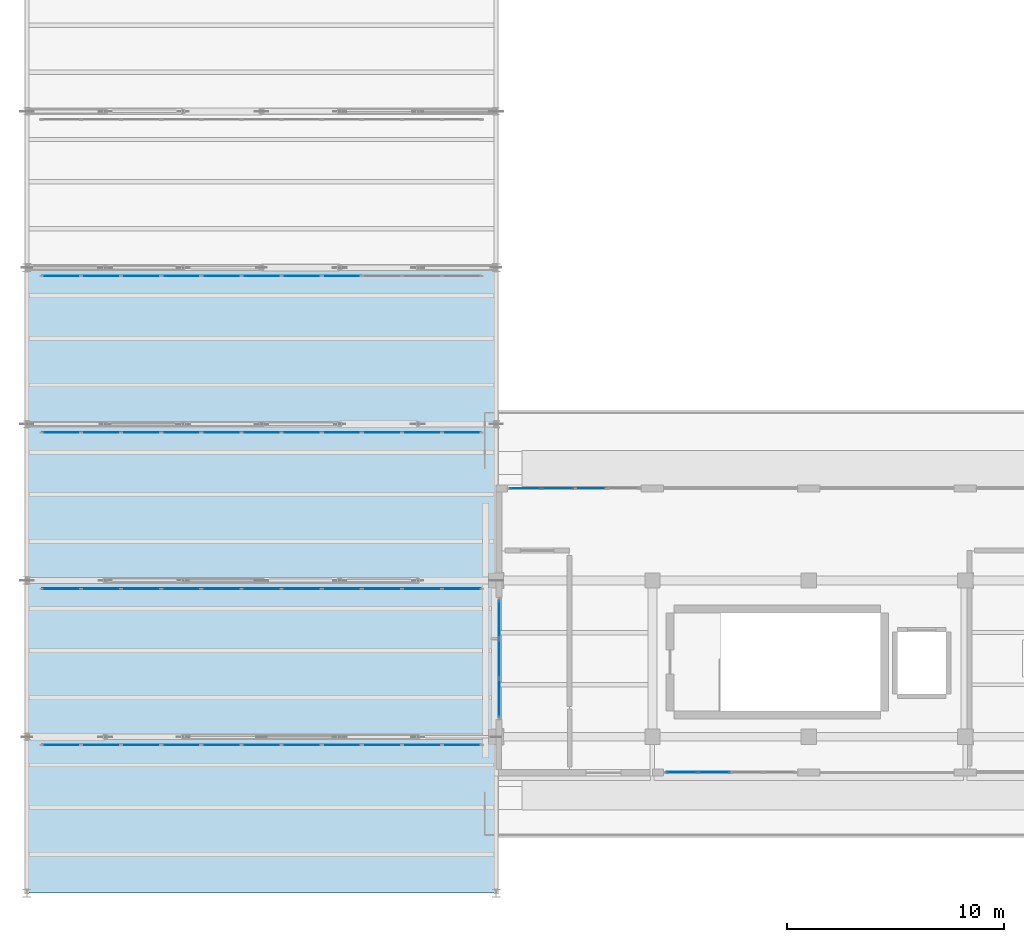
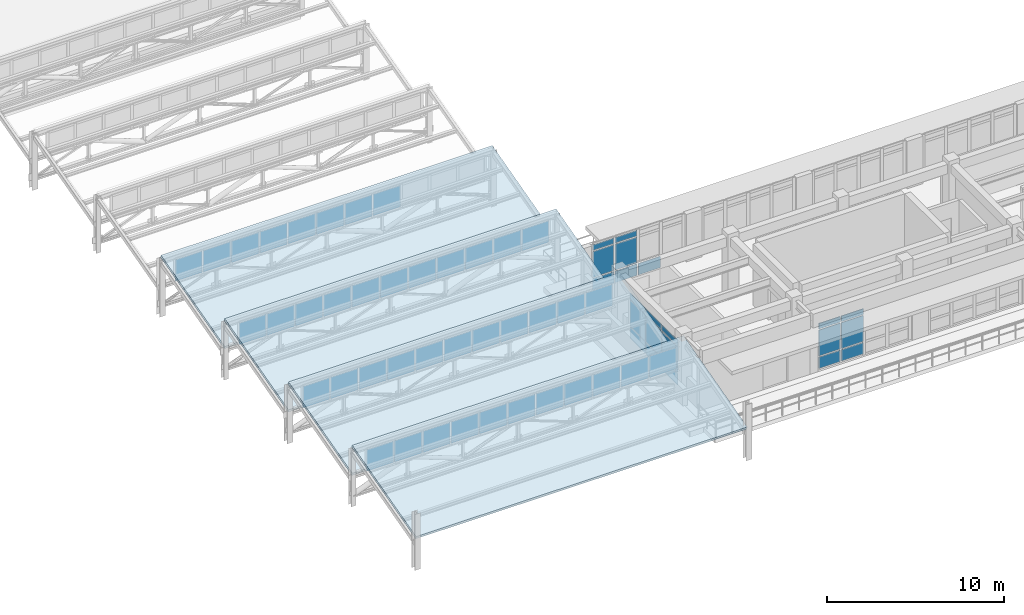
# One storey, part 33 of 55: 63 plates, 4 slabs, 7 elements without a shape of their own.
"""IFC4 building model written with IfcOpenShell, lengths in metres."""

from ifc_helpers import new_model, si_unit, direction, frame, origin, origin_2d, place, context, subcontext, project, spatial, polyline, rectangle, outline, extrude, material, layer, layer_set, type_object, element, aggregate, save


model = new_model("IFC4")

# Units and contexts
model_context = context("Model", 3, precision=1e-05, world=origin(), true_north=direction((0.0, 1.0)))
body_context = subcontext(model_context, "Body", "Model", "MODEL_VIEW")
ifc_project = project(units=[si_unit("LENGTHUNIT", "METRE"), si_unit("AREAUNIT", "SQUARE_METRE"), si_unit("VOLUMEUNIT", "CUBIC_METRE"), si_unit("PLANEANGLEUNIT", "RADIAN"), si_unit("MASSUNIT", "GRAM", prefix="KILO")], contexts=[model_context])

# Site, building, storey
site_placement = place(None, origin())
site = spatial("IfcSite", under=ifc_project, at=site_placement, CompositionType="ELEMENT")
building_placement = place(site_placement, origin())
building = spatial("IfcBuilding", under=site, at=building_placement, Name="Solenvale Faculty of Natural Sciences", CompositionType="ELEMENT")
storey_placement = place(building_placement, frame((0.0, 0.0, 22.5)))
storey = spatial("IfcBuildingStorey", under=building, at=storey_placement, Name="L05", CompositionType="ELEMENT", Elevation=22.5)

# Curtain wall, plates
ifc_material_1 = material(Name="Anodised bronze aluminium", Category="aluminium")
ifc_layer_1 = layer(ifc_material_1, 0.1650390625)
ifc_layer_set_1 = layer_set([ifc_layer_1], Name="Anodised bronze aluminium")
curtain_wall_type_1 = type_object("IfcCurtainWallType", Name="CW-SAW-CLR", PredefinedType="USERDEFINED", material=ifc_layer_set_1)
curtain_wall_1_placement = place(storey_placement, origin())
curtain_wall_1 = element("IfcCurtainWall", 1, at=curtain_wall_1_placement, inside=storey, type_object=curtain_wall_type_1, Name="L05 Curtain Wall SAW-V3-CW-1-1", ObjectType="NORTH LIGHT CLERESTORY", PredefinedType="USERDEFINED")
ifc_material_2 = material(Name="North-light skylight glass", Category="glass")
ifc_layer_2 = layer(ifc_material_2, 0.028076171875)
ifc_layer_set_2 = layer_set([ifc_layer_2], Name="North-light skylight glass")
plate_type_1 = type_object("IfcPlateType", Name="CWP-PNL-28", PredefinedType="CURTAIN_PANEL", material=ifc_layer_set_2)
plate_1_placement = place(storey_placement, frame((56.02001953125, 21.219970703125, 2.294921875), z_axis=(0.0, 0.0, 1.0), x_axis=(-1.0, 0.0, 0.0)))
plate_1 = element("IfcPlate", 2, at=plate_1_placement, type_object=plate_type_1, Name="CW-05 panel 1.1", PredefinedType="CURTAIN_PANEL", context=body_context, shape_type="SweptSolid", body=[
    extrude(rectangle(XDim=1.749755859375, YDim=0.028076171875, at=origin_2d()), origin(), (0.0, 0.0, 1.0), 1.47998046875),
])
plate_2_placement = place(storey_placement, frame((54.189208984375, 21.219970703125, 2.294921875), z_axis=(0.0, 0.0, 1.0), x_axis=(-1.0, 0.0, 0.0)))
plate_2 = element("IfcPlate", 3, at=plate_2_placement, type_object=plate_type_1, Name="CW-05 panel 2.1", PredefinedType="CURTAIN_PANEL", context=body_context, shape_type="SweptSolid", body=[
    extrude(rectangle(XDim=1.7822265625, YDim=0.028076171875, at=origin_2d()), origin(), (0.0, 0.0, 1.0), 1.47998046875),
])
plate_3_placement = place(storey_placement, frame((52.341796875, 21.219970703125, 2.294921875), z_axis=(0.0, 0.0, 1.0), x_axis=(-1.0, 0.0, 0.0)))
plate_3 = element("IfcPlate", 4, at=plate_3_placement, type_object=plate_type_1, Name="CW-05 panel 3.1", PredefinedType="CURTAIN_PANEL", context=body_context, shape_type="SweptSolid", body=[
    extrude(rectangle(XDim=1.7822265625, YDim=0.028076171875, at=origin_2d()), origin(), (0.0, 0.0, 1.0), 1.47998046875),
])
plate_4_placement = place(storey_placement, frame((50.49462890625, 21.219970703125, 2.294921875), z_axis=(0.0, 0.0, 1.0), x_axis=(-1.0, 0.0, 0.0)))
plate_4 = element("IfcPlate", 5, at=plate_4_placement, type_object=plate_type_1, Name="CW-05 panel 4.1", PredefinedType="CURTAIN_PANEL", context=body_context, shape_type="SweptSolid", body=[
    extrude(rectangle(XDim=1.7822265625, YDim=0.028076171875, at=origin_2d()), origin(), (0.0, 0.0, 1.0), 1.47998046875),
])
plate_5_placement = place(storey_placement, frame((48.647216796875, 21.219970703125, 2.294921875), z_axis=(0.0, 0.0, 1.0), x_axis=(-1.0, 0.0, 0.0)))
plate_5 = element("IfcPlate", 6, at=plate_5_placement, type_object=plate_type_1, Name="CW-05 panel 5.1", PredefinedType="CURTAIN_PANEL", context=body_context, shape_type="SweptSolid", body=[
    extrude(rectangle(XDim=1.7822265625, YDim=0.028076171875, at=origin_2d()), origin(), (0.0, 0.0, 1.0), 1.47998046875),
])
plate_6_placement = place(storey_placement, frame((46.800048828125, 21.219970703125, 2.294921875), z_axis=(0.0, 0.0, 1.0), x_axis=(-1.0, 0.0, 0.0)))
plate_6 = element("IfcPlate", 7, at=plate_6_placement, type_object=plate_type_1, Name="CW-05 panel 6.1", PredefinedType="CURTAIN_PANEL", context=body_context, shape_type="SweptSolid", body=[
    extrude(rectangle(XDim=1.7822265625, YDim=0.028076171875, at=origin_2d()), origin(), (0.0, 0.0, 1.0), 1.47998046875),
])
plate_7_placement = place(storey_placement, frame((44.95263671875, 21.219970703125, 2.294921875), z_axis=(0.0, 0.0, 1.0), x_axis=(-1.0, 0.0, 0.0)))
plate_7 = element("IfcPlate", 8, at=plate_7_placement, type_object=plate_type_1, Name="CW-05 panel 7.1", PredefinedType="CURTAIN_PANEL", context=body_context, shape_type="SweptSolid", body=[
    extrude(rectangle(XDim=1.7822265625, YDim=0.028076171875, at=origin_2d()), origin(), (0.0, 0.0, 1.0), 1.47998046875),
])
plate_8_placement = place(storey_placement, frame((43.10546875, 21.219970703125, 2.294921875), z_axis=(0.0, 0.0, 1.0), x_axis=(-1.0, 0.0, 0.0)))
plate_8 = element("IfcPlate", 9, at=plate_8_placement, type_object=plate_type_1, Name="CW-05 panel 8.1", PredefinedType="CURTAIN_PANEL", context=body_context, shape_type="SweptSolid", body=[
    extrude(rectangle(XDim=1.7822265625, YDim=0.028076171875, at=origin_2d()), origin(), (0.0, 0.0, 1.0), 1.47998046875),
])
plate_9_placement = place(storey_placement, frame((41.25830078125, 21.219970703125, 2.294921875), z_axis=(0.0, 0.0, 1.0), x_axis=(-1.0, 0.0, 0.0)))
plate_9 = element("IfcPlate", 10, at=plate_9_placement, type_object=plate_type_1, Name="CW-05 panel 9.1", PredefinedType="CURTAIN_PANEL", context=body_context, shape_type="SweptSolid", body=[
    extrude(rectangle(XDim=1.7822265625, YDim=0.028076171875, at=origin_2d()), origin(), (0.0, 0.0, 1.0), 1.47998046875),
])
plate_10_placement = place(storey_placement, frame((39.410888671875, 21.219970703125, 2.294921875), z_axis=(0.0, 0.0, 1.0), x_axis=(-1.0, 0.0, 0.0)))
plate_10 = element("IfcPlate", 11, at=plate_10_placement, type_object=plate_type_1, Name="CW-05 panel 10.1", PredefinedType="CURTAIN_PANEL", context=body_context, shape_type="SweptSolid", body=[
    extrude(rectangle(XDim=1.7822265625, YDim=0.028076171875, at=origin_2d()), origin(), (0.0, 0.0, 1.0), 1.47998046875),
])
plate_11_placement = place(storey_placement, frame((37.579833984375, 21.219970703125, 2.294921875), z_axis=(0.0, 0.0, 1.0), x_axis=(-1.0, 0.0, 0.0)))
plate_11 = element("IfcPlate", 12, at=plate_11_placement, type_object=plate_type_1, Name="CW-05 panel 11.1", PredefinedType="CURTAIN_PANEL", context=body_context, shape_type="SweptSolid", body=[
    extrude(rectangle(XDim=1.749755859375, YDim=0.028076171875, at=origin_2d()), origin(), (0.0, 0.0, 1.0), 1.47998046875),
])
aggregate(curtain_wall_1, [plate_1, plate_2, plate_3, plate_4, plate_5, plate_6, plate_7, plate_8, plate_9, plate_10, plate_11])

curtain_wall_2_placement = place(storey_placement, origin())
curtain_wall_2 = element("IfcCurtainWall", 13, at=curtain_wall_2_placement, inside=storey, type_object=curtain_wall_type_1, Name="L05 Curtain Wall SAW-V3-CW-2-1", ObjectType="NORTH LIGHT CLERESTORY", PredefinedType="USERDEFINED")
plate_12_placement = place(storey_placement, frame((56.02001953125, 28.419921875, 2.294921875), z_axis=(0.0, 0.0, 1.0), x_axis=(-1.0, 0.0, 0.0)))
plate_12 = element("IfcPlate", 14, at=plate_12_placement, type_object=plate_type_1, Name="CW-05 panel 1.1", PredefinedType="CURTAIN_PANEL", context=body_context, shape_type="SweptSolid", body=[
    extrude(rectangle(XDim=1.749755859375, YDim=0.028076171875, at=origin_2d()), origin(), (0.0, 0.0, 1.0), 1.47998046875),
])
plate_13_placement = place(storey_placement, frame((54.189208984375, 28.419921875, 2.294921875), z_axis=(0.0, 0.0, 1.0), x_axis=(-1.0, 0.0, 0.0)))
plate_13 = element("IfcPlate", 15, at=plate_13_placement, type_object=plate_type_1, Name="CW-05 panel 2.1", PredefinedType="CURTAIN_PANEL", context=body_context, shape_type="SweptSolid", body=[
    extrude(rectangle(XDim=1.7822265625, YDim=0.028076171875, at=origin_2d()), origin(), (0.0, 0.0, 1.0), 1.47998046875),
])
plate_14_placement = place(storey_placement, frame((52.341796875, 28.419921875, 2.294921875), z_axis=(0.0, 0.0, 1.0), x_axis=(-1.0, 0.0, 0.0)))
plate_14 = element("IfcPlate", 16, at=plate_14_placement, type_object=plate_type_1, Name="CW-05 panel 3.1", PredefinedType="CURTAIN_PANEL", context=body_context, shape_type="SweptSolid", body=[
    extrude(rectangle(XDim=1.7822265625, YDim=0.028076171875, at=origin_2d()), origin(), (0.0, 0.0, 1.0), 1.47998046875),
])
plate_15_placement = place(storey_placement, frame((50.49462890625, 28.419921875, 2.294921875), z_axis=(0.0, 0.0, 1.0), x_axis=(-1.0, 0.0, 0.0)))
plate_15 = element("IfcPlate", 17, at=plate_15_placement, type_object=plate_type_1, Name="CW-05 panel 4.1", PredefinedType="CURTAIN_PANEL", context=body_context, shape_type="SweptSolid", body=[
    extrude(rectangle(XDim=1.7822265625, YDim=0.028076171875, at=origin_2d()), origin(), (0.0, 0.0, 1.0), 1.47998046875),
])
plate_16_placement = place(storey_placement, frame((48.647216796875, 28.419921875, 2.294921875), z_axis=(0.0, 0.0, 1.0), x_axis=(-1.0, 0.0, 0.0)))
plate_16 = element("IfcPlate", 18, at=plate_16_placement, type_object=plate_type_1, Name="CW-05 panel 5.1", PredefinedType="CURTAIN_PANEL", context=body_context, shape_type="SweptSolid", body=[
    extrude(rectangle(XDim=1.7822265625, YDim=0.028076171875, at=origin_2d()), origin(), (0.0, 0.0, 1.0), 1.47998046875),
])
plate_17_placement = place(storey_placement, frame((46.800048828125, 28.419921875, 2.294921875), z_axis=(0.0, 0.0, 1.0), x_axis=(-1.0, 0.0, 0.0)))
plate_17 = element("IfcPlate", 19, at=plate_17_placement, type_object=plate_type_1, Name="CW-05 panel 6.1", PredefinedType="CURTAIN_PANEL", context=body_context, shape_type="SweptSolid", body=[
    extrude(rectangle(XDim=1.7822265625, YDim=0.028076171875, at=origin_2d()), origin(), (0.0, 0.0, 1.0), 1.47998046875),
])
plate_18_placement = place(storey_placement, frame((44.95263671875, 28.419921875, 2.294921875), z_axis=(0.0, 0.0, 1.0), x_axis=(-1.0, 0.0, 0.0)))
plate_18 = element("IfcPlate", 20, at=plate_18_placement, type_object=plate_type_1, Name="CW-05 panel 7.1", PredefinedType="CURTAIN_PANEL", context=body_context, shape_type="SweptSolid", body=[
    extrude(rectangle(XDim=1.7822265625, YDim=0.028076171875, at=origin_2d()), origin(), (0.0, 0.0, 1.0), 1.47998046875),
])
plate_19_placement = place(storey_placement, frame((43.10546875, 28.419921875, 2.294921875), z_axis=(0.0, 0.0, 1.0), x_axis=(-1.0, 0.0, 0.0)))
plate_19 = element("IfcPlate", 21, at=plate_19_placement, type_object=plate_type_1, Name="CW-05 panel 8.1", PredefinedType="CURTAIN_PANEL", context=body_context, shape_type="SweptSolid", body=[
    extrude(rectangle(XDim=1.7822265625, YDim=0.028076171875, at=origin_2d()), origin(), (0.0, 0.0, 1.0), 1.47998046875),
])
plate_20_placement = place(storey_placement, frame((41.25830078125, 28.419921875, 2.294921875), z_axis=(0.0, 0.0, 1.0), x_axis=(-1.0, 0.0, 0.0)))
plate_20 = element("IfcPlate", 22, at=plate_20_placement, type_object=plate_type_1, Name="CW-05 panel 9.1", PredefinedType="CURTAIN_PANEL", context=body_context, shape_type="SweptSolid", body=[
    extrude(rectangle(XDim=1.7822265625, YDim=0.028076171875, at=origin_2d()), origin(), (0.0, 0.0, 1.0), 1.47998046875),
])
plate_21_placement = place(storey_placement, frame((39.410888671875, 28.419921875, 2.294921875), z_axis=(0.0, 0.0, 1.0), x_axis=(-1.0, 0.0, 0.0)))
plate_21 = element("IfcPlate", 23, at=plate_21_placement, type_object=plate_type_1, Name="CW-05 panel 10.1", PredefinedType="CURTAIN_PANEL", context=body_context, shape_type="SweptSolid", body=[
    extrude(rectangle(XDim=1.7822265625, YDim=0.028076171875, at=origin_2d()), origin(), (0.0, 0.0, 1.0), 1.47998046875),
])
plate_22_placement = place(storey_placement, frame((37.579833984375, 28.419921875, 2.294921875), z_axis=(0.0, 0.0, 1.0), x_axis=(-1.0, 0.0, 0.0)))
plate_22 = element("IfcPlate", 24, at=plate_22_placement, type_object=plate_type_1, Name="CW-05 panel 11.1", PredefinedType="CURTAIN_PANEL", context=body_context, shape_type="SweptSolid", body=[
    extrude(rectangle(XDim=1.749755859375, YDim=0.028076171875, at=origin_2d()), origin(), (0.0, 0.0, 1.0), 1.47998046875),
])
aggregate(curtain_wall_2, [plate_12, plate_13, plate_14, plate_15, plate_16, plate_17, plate_18, plate_19, plate_20, plate_21, plate_22])

curtain_wall_3_placement = place(storey_placement, origin())
curtain_wall_3 = element("IfcCurtainWall", 25, at=curtain_wall_3_placement, inside=storey, type_object=curtain_wall_type_1, Name="L05 Curtain Wall SAW-V3-CW-3-1", ObjectType="NORTH LIGHT CLERESTORY", PredefinedType="USERDEFINED")
plate_23_placement = place(storey_placement, frame((56.02001953125, 35.6201171875, 2.294921875), z_axis=(0.0, 0.0, 1.0), x_axis=(-1.0, 0.0, 0.0)))
plate_23 = element("IfcPlate", 26, at=plate_23_placement, type_object=plate_type_1, Name="CW-05 panel 1.1", PredefinedType="CURTAIN_PANEL", context=body_context, shape_type="SweptSolid", body=[
    extrude(rectangle(XDim=1.749755859375, YDim=0.028076171875, at=origin_2d()), origin(), (0.0, 0.0, 1.0), 1.47998046875),
])
plate_24_placement = place(storey_placement, frame((54.189208984375, 35.6201171875, 2.294921875), z_axis=(0.0, 0.0, 1.0), x_axis=(-1.0, 0.0, 0.0)))
plate_24 = element("IfcPlate", 27, at=plate_24_placement, type_object=plate_type_1, Name="CW-05 panel 2.1", PredefinedType="CURTAIN_PANEL", context=body_context, shape_type="SweptSolid", body=[
    extrude(rectangle(XDim=1.7822265625, YDim=0.028076171875, at=origin_2d()), origin(), (0.0, 0.0, 1.0), 1.47998046875),
])
plate_25_placement = place(storey_placement, frame((52.341796875, 35.6201171875, 2.294921875), z_axis=(0.0, 0.0, 1.0), x_axis=(-1.0, 0.0, 0.0)))
plate_25 = element("IfcPlate", 28, at=plate_25_placement, type_object=plate_type_1, Name="CW-05 panel 3.1", PredefinedType="CURTAIN_PANEL", context=body_context, shape_type="SweptSolid", body=[
    extrude(rectangle(XDim=1.7822265625, YDim=0.028076171875, at=origin_2d()), origin(), (0.0, 0.0, 1.0), 1.47998046875),
])
plate_26_placement = place(storey_placement, frame((50.49462890625, 35.6201171875, 2.294921875), z_axis=(0.0, 0.0, 1.0), x_axis=(-1.0, 0.0, 0.0)))
plate_26 = element("IfcPlate", 29, at=plate_26_placement, type_object=plate_type_1, Name="CW-05 panel 4.1", PredefinedType="CURTAIN_PANEL", context=body_context, shape_type="SweptSolid", body=[
    extrude(rectangle(XDim=1.7822265625, YDim=0.028076171875, at=origin_2d()), origin(), (0.0, 0.0, 1.0), 1.47998046875),
])
plate_27_placement = place(storey_placement, frame((48.647216796875, 35.6201171875, 2.294921875), z_axis=(0.0, 0.0, 1.0), x_axis=(-1.0, 0.0, 0.0)))
plate_27 = element("IfcPlate", 30, at=plate_27_placement, type_object=plate_type_1, Name="CW-05 panel 5.1", PredefinedType="CURTAIN_PANEL", context=body_context, shape_type="SweptSolid", body=[
    extrude(rectangle(XDim=1.7822265625, YDim=0.028076171875, at=origin_2d()), origin(), (0.0, 0.0, 1.0), 1.47998046875),
])
plate_28_placement = place(storey_placement, frame((46.800048828125, 35.6201171875, 2.294921875), z_axis=(0.0, 0.0, 1.0), x_axis=(-1.0, 0.0, 0.0)))
plate_28 = element("IfcPlate", 31, at=plate_28_placement, type_object=plate_type_1, Name="CW-05 panel 6.1", PredefinedType="CURTAIN_PANEL", context=body_context, shape_type="SweptSolid", body=[
    extrude(rectangle(XDim=1.7822265625, YDim=0.028076171875, at=origin_2d()), origin(), (0.0, 0.0, 1.0), 1.47998046875),
])
plate_29_placement = place(storey_placement, frame((44.95263671875, 35.6201171875, 2.294921875), z_axis=(0.0, 0.0, 1.0), x_axis=(-1.0, 0.0, 0.0)))
plate_29 = element("IfcPlate", 32, at=plate_29_placement, type_object=plate_type_1, Name="CW-05 panel 7.1", PredefinedType="CURTAIN_PANEL", context=body_context, shape_type="SweptSolid", body=[
    extrude(rectangle(XDim=1.7822265625, YDim=0.028076171875, at=origin_2d()), origin(), (0.0, 0.0, 1.0), 1.47998046875),
])
plate_30_placement = place(storey_placement, frame((43.10546875, 35.6201171875, 2.294921875), z_axis=(0.0, 0.0, 1.0), x_axis=(-1.0, 0.0, 0.0)))
plate_30 = element("IfcPlate", 33, at=plate_30_placement, type_object=plate_type_1, Name="CW-05 panel 8.1", PredefinedType="CURTAIN_PANEL", context=body_context, shape_type="SweptSolid", body=[
    extrude(rectangle(XDim=1.7822265625, YDim=0.028076171875, at=origin_2d()), origin(), (0.0, 0.0, 1.0), 1.47998046875),
])
plate_31_placement = place(storey_placement, frame((41.25830078125, 35.6201171875, 2.294921875), z_axis=(0.0, 0.0, 1.0), x_axis=(-1.0, 0.0, 0.0)))
plate_31 = element("IfcPlate", 34, at=plate_31_placement, type_object=plate_type_1, Name="CW-05 panel 9.1", PredefinedType="CURTAIN_PANEL", context=body_context, shape_type="SweptSolid", body=[
    extrude(rectangle(XDim=1.7822265625, YDim=0.028076171875, at=origin_2d()), origin(), (0.0, 0.0, 1.0), 1.47998046875),
])
plate_32_placement = place(storey_placement, frame((39.410888671875, 35.6201171875, 2.294921875), z_axis=(0.0, 0.0, 1.0), x_axis=(-1.0, 0.0, 0.0)))
plate_32 = element("IfcPlate", 35, at=plate_32_placement, type_object=plate_type_1, Name="CW-05 panel 10.1", PredefinedType="CURTAIN_PANEL", context=body_context, shape_type="SweptSolid", body=[
    extrude(rectangle(XDim=1.7822265625, YDim=0.028076171875, at=origin_2d()), origin(), (0.0, 0.0, 1.0), 1.47998046875),
])
plate_33_placement = place(storey_placement, frame((37.579833984375, 35.6201171875, 2.294921875), z_axis=(0.0, 0.0, 1.0), x_axis=(-1.0, 0.0, 0.0)))
plate_33 = element("IfcPlate", 36, at=plate_33_placement, type_object=plate_type_1, Name="CW-05 panel 11.1", PredefinedType="CURTAIN_PANEL", context=body_context, shape_type="SweptSolid", body=[
    extrude(rectangle(XDim=1.749755859375, YDim=0.028076171875, at=origin_2d()), origin(), (0.0, 0.0, 1.0), 1.47998046875),
])
aggregate(curtain_wall_3, [plate_23, plate_24, plate_25, plate_26, plate_27, plate_28, plate_29, plate_30, plate_31, plate_32, plate_33])

curtain_wall_4_placement = place(storey_placement, origin())
curtain_wall_4 = element("IfcCurtainWall", 37, at=curtain_wall_4_placement, inside=storey, type_object=curtain_wall_type_1, Name="L05 Curtain Wall SAW-V3-CW-4-1", ObjectType="NORTH LIGHT CLERESTORY", PredefinedType="USERDEFINED")
plate_34_placement = place(storey_placement, frame((50.49462890625, 42.820068359375, 2.294921875), z_axis=(0.0, 0.0, 1.0), x_axis=(-1.0, 0.0, 0.0)))
plate_34 = element("IfcPlate", 38, at=plate_34_placement, type_object=plate_type_1, Name="CW-05 panel 4.1", PredefinedType="CURTAIN_PANEL", context=body_context, shape_type="SweptSolid", body=[
    extrude(rectangle(XDim=1.7822265625, YDim=0.028076171875, at=origin_2d()), origin(), (0.0, 0.0, 1.0), 1.47998046875),
])
plate_35_placement = place(storey_placement, frame((48.647216796875, 42.820068359375, 2.294921875), z_axis=(0.0, 0.0, 1.0), x_axis=(-1.0, 0.0, 0.0)))
plate_35 = element("IfcPlate", 39, at=plate_35_placement, type_object=plate_type_1, Name="CW-05 panel 5.1", PredefinedType="CURTAIN_PANEL", context=body_context, shape_type="SweptSolid", body=[
    extrude(rectangle(XDim=1.7822265625, YDim=0.028076171875, at=origin_2d()), origin(), (0.0, 0.0, 1.0), 1.47998046875),
])
plate_36_placement = place(storey_placement, frame((46.800048828125, 42.820068359375, 2.294921875), z_axis=(0.0, 0.0, 1.0), x_axis=(-1.0, 0.0, 0.0)))
plate_36 = element("IfcPlate", 40, at=plate_36_placement, type_object=plate_type_1, Name="CW-05 panel 6.1", PredefinedType="CURTAIN_PANEL", context=body_context, shape_type="SweptSolid", body=[
    extrude(rectangle(XDim=1.7822265625, YDim=0.028076171875, at=origin_2d()), origin(), (0.0, 0.0, 1.0), 1.47998046875),
])
plate_37_placement = place(storey_placement, frame((44.95263671875, 42.820068359375, 2.294921875), z_axis=(0.0, 0.0, 1.0), x_axis=(-1.0, 0.0, 0.0)))
plate_37 = element("IfcPlate", 41, at=plate_37_placement, type_object=plate_type_1, Name="CW-05 panel 7.1", PredefinedType="CURTAIN_PANEL", context=body_context, shape_type="SweptSolid", body=[
    extrude(rectangle(XDim=1.7822265625, YDim=0.028076171875, at=origin_2d()), origin(), (0.0, 0.0, 1.0), 1.47998046875),
])
plate_38_placement = place(storey_placement, frame((43.10546875, 42.820068359375, 2.294921875), z_axis=(0.0, 0.0, 1.0), x_axis=(-1.0, 0.0, 0.0)))
plate_38 = element("IfcPlate", 42, at=plate_38_placement, type_object=plate_type_1, Name="CW-05 panel 8.1", PredefinedType="CURTAIN_PANEL", context=body_context, shape_type="SweptSolid", body=[
    extrude(rectangle(XDim=1.7822265625, YDim=0.028076171875, at=origin_2d()), origin(), (0.0, 0.0, 1.0), 1.47998046875),
])
plate_39_placement = place(storey_placement, frame((41.25830078125, 42.820068359375, 2.294921875), z_axis=(0.0, 0.0, 1.0), x_axis=(-1.0, 0.0, 0.0)))
plate_39 = element("IfcPlate", 43, at=plate_39_placement, type_object=plate_type_1, Name="CW-05 panel 9.1", PredefinedType="CURTAIN_PANEL", context=body_context, shape_type="SweptSolid", body=[
    extrude(rectangle(XDim=1.7822265625, YDim=0.028076171875, at=origin_2d()), origin(), (0.0, 0.0, 1.0), 1.47998046875),
])
plate_40_placement = place(storey_placement, frame((39.410888671875, 42.820068359375, 2.294921875), z_axis=(0.0, 0.0, 1.0), x_axis=(-1.0, 0.0, 0.0)))
plate_40 = element("IfcPlate", 44, at=plate_40_placement, type_object=plate_type_1, Name="CW-05 panel 10.1", PredefinedType="CURTAIN_PANEL", context=body_context, shape_type="SweptSolid", body=[
    extrude(rectangle(XDim=1.7822265625, YDim=0.028076171875, at=origin_2d()), origin(), (0.0, 0.0, 1.0), 1.47998046875),
])
plate_41_placement = place(storey_placement, frame((37.579833984375, 42.820068359375, 2.294921875), z_axis=(0.0, 0.0, 1.0), x_axis=(-1.0, 0.0, 0.0)))
plate_41 = element("IfcPlate", 45, at=plate_41_placement, type_object=plate_type_1, Name="CW-05 panel 11.1", PredefinedType="CURTAIN_PANEL", context=body_context, shape_type="SweptSolid", body=[
    extrude(rectangle(XDim=1.749755859375, YDim=0.028076171875, at=origin_2d()), origin(), (0.0, 0.0, 1.0), 1.47998046875),
])
aggregate(curtain_wall_4, [plate_34, plate_35, plate_36, plate_37, plate_38, plate_39, plate_40, plate_41])

ifc_layer_3 = layer(ifc_material_1, 0.18994140625)
ifc_layer_set_3 = layer_set([ifc_layer_3], Name="Anodised bronze aluminium")
curtain_wall_type_2 = type_object("IfcCurtainWallType", Name="CW-TRAY-REC", PredefinedType="USERDEFINED", material=ifc_layer_set_3)
curtain_wall_5_placement = place(storey_placement, origin())
curtain_wall_5 = element("IfcCurtainWall", 46, at=curtain_wall_5_placement, inside=storey, type_object=curtain_wall_type_2, Name="L05 Curtain Wall CW-L05-P1-E2-B8", ObjectType="UNITISED CURTAIN WALL", PredefinedType="USERDEFINED")
plate_42_placement = place(storey_placement, frame((61.955078125, 33.03759765625, 0.074951171875), z_axis=(0.0, 0.0, 1.0), x_axis=(-1.0, 0.0, 0.0)))
plate_42 = element("IfcPlate", 47, at=plate_42_placement, type_object=plate_type_1, Name="CW-02 panel 2.1", PredefinedType="CURTAIN_PANEL", context=body_context, shape_type="SweptSolid", body=[
    extrude(rectangle(XDim=1.43505859375, YDim=0.028076171875, at=origin_2d()), origin(), (0.0, 0.0, 1.0), 0.78759765625),
])
plate_43_placement = place(storey_placement, frame((60.445068359375, 33.03759765625, 0.074951171875), z_axis=(0.0, 0.0, 1.0), x_axis=(-1.0, 0.0, 0.0)))
plate_43 = element("IfcPlate", 48, at=plate_43_placement, type_object=plate_type_1, Name="CW-02 panel 3.1", PredefinedType="CURTAIN_PANEL", context=body_context, shape_type="SweptSolid", body=[
    extrude(rectangle(XDim=1.43505859375, YDim=0.028076171875, at=origin_2d()), origin(), (0.0, 0.0, 1.0), 0.78759765625),
])
plate_44_placement = place(storey_placement, frame((60.445068359375, 33.03759765625, 0.9375), z_axis=(0.0, 0.0, 1.0), x_axis=(-1.0, 0.0, 0.0)))
plate_44 = element("IfcPlate", 49, at=plate_44_placement, type_object=plate_type_1, Name="CW-02 panel 3.2", PredefinedType="CURTAIN_PANEL", context=body_context, shape_type="SweptSolid", body=[
    extrude(rectangle(XDim=1.43505859375, YDim=0.028076171875, at=origin_2d()), origin(), (0.0, 0.0, 1.0), 1.784912109375),
])
plate_45_placement = place(storey_placement, frame((60.445068359375, 33.03759765625, 2.79736328125), z_axis=(0.0, 0.0, 1.0), x_axis=(-1.0, 0.0, 0.0)))
plate_45 = element("IfcPlate", 50, at=plate_45_placement, type_object=plate_type_1, Name="CW-02 panel 3.3", PredefinedType="CURTAIN_PANEL", context=body_context, shape_type="SweptSolid", body=[
    extrude(rectangle(XDim=1.43505859375, YDim=0.028076171875, at=origin_2d()), origin(), (0.0, 0.0, 1.0), 0.387451171875),
])
plate_46_placement = place(storey_placement, frame((58.953857421875, 33.03759765625, 0.074951171875), z_axis=(0.0, 0.0, 1.0), x_axis=(-1.0, 0.0, 0.0)))
plate_46 = element("IfcPlate", 51, at=plate_46_placement, type_object=plate_type_1, Name="CW-02 panel 4.1", PredefinedType="CURTAIN_PANEL", context=body_context, shape_type="SweptSolid", body=[
    extrude(rectangle(XDim=1.3974609375, YDim=0.028076171875, at=origin_2d()), origin(), (0.0, 0.0, 1.0), 0.78759765625),
])
plate_47_placement = place(storey_placement, frame((58.953857421875, 33.03759765625, 0.9375), z_axis=(0.0, 0.0, 1.0), x_axis=(-1.0, 0.0, 0.0)))
plate_47 = element("IfcPlate", 52, at=plate_47_placement, type_object=plate_type_1, Name="CW-02 panel 4.2", PredefinedType="CURTAIN_PANEL", context=body_context, shape_type="SweptSolid", body=[
    extrude(rectangle(XDim=1.3974609375, YDim=0.028076171875, at=origin_2d()), origin(), (0.0, 0.0, 1.0), 1.784912109375),
])
plate_48_placement = place(storey_placement, frame((58.953857421875, 33.03759765625, 2.79736328125), z_axis=(0.0, 0.0, 1.0), x_axis=(-1.0, 0.0, 0.0)))
plate_48 = element("IfcPlate", 53, at=plate_48_placement, type_object=plate_type_1, Name="CW-02 panel 4.3", PredefinedType="CURTAIN_PANEL", context=body_context, shape_type="SweptSolid", body=[
    extrude(rectangle(XDim=1.3974609375, YDim=0.028076171875, at=origin_2d()), origin(), (0.0, 0.0, 1.0), 0.387451171875),
])
aggregate(curtain_wall_5, [plate_42, plate_43, plate_44, plate_45, plate_46, plate_47, plate_48])

ifc_layer_4 = layer(ifc_material_1, 0.215087890625)
ifc_layer_set_4 = layer_set([ifc_layer_4], Name="Anodised bronze aluminium")
curtain_wall_type_3 = type_object("IfcCurtainWallType", Name="CW-ATR-UNIT", PredefinedType="USERDEFINED", material=ifc_layer_set_4)
curtain_wall_6_placement = place(storey_placement, origin())
curtain_wall_6 = element("IfcCurtainWall", 54, at=curtain_wall_6_placement, inside=storey, type_object=curtain_wall_type_3, Name="L05 Curtain Wall CW-L05-P1-E3-B2", ObjectType="UNITISED CURTAIN WALL", PredefinedType="USERDEFINED")
ifc_material_3 = material(Name="Triple low-E insulated glass", Category="glass")
ifc_layer_5 = layer(ifc_material_3, 0.0400390625)
ifc_layer_set_5 = layer_set([ifc_layer_5], Name="Triple low-E insulated glass")
plate_type_2 = type_object("IfcPlateType", Name="CWP-PNL-40", PredefinedType="CURTAIN_PANEL", material=ifc_layer_set_5)
plate_49_placement = place(storey_placement, frame((57.742431640625, 27.0146484375, 0.074951171875), z_axis=(0.0, 0.0, 1.0), x_axis=(0.0, -1.0, 0.0)))
plate_49 = element("IfcPlate", 55, at=plate_49_placement, type_object=plate_type_2, Name="CW-01 panel 1.1", PredefinedType="CURTAIN_PANEL", context=body_context, shape_type="SweptSolid", body=[
    extrude(rectangle(XDim=1.720947265625, YDim=0.0400390625, at=origin_2d()), origin(), (0.0, 0.0, 1.0), 0.78759765625),
])
plate_50_placement = place(storey_placement, frame((57.742431640625, 27.0146484375, 0.9375), z_axis=(0.0, 0.0, 1.0), x_axis=(0.0, -1.0, 0.0)))
plate_50 = element("IfcPlate", 56, at=plate_50_placement, type_object=plate_type_2, Name="CW-01 panel 1.2", PredefinedType="CURTAIN_PANEL", context=body_context, shape_type="SweptSolid", body=[
    extrude(rectangle(XDim=1.720947265625, YDim=0.0400390625, at=origin_2d()), origin(), (0.0, 0.0, 1.0), 1.784912109375),
])
plate_51_placement = place(storey_placement, frame((57.742431640625, 27.0146484375, 2.79736328125), z_axis=(0.0, 0.0, 1.0), x_axis=(0.0, -1.0, 0.0)))
plate_51 = element("IfcPlate", 57, at=plate_51_placement, type_object=plate_type_2, Name="CW-01 panel 1.3", PredefinedType="CURTAIN_PANEL", context=body_context, shape_type="SweptSolid", body=[
    extrude(rectangle(XDim=1.720947265625, YDim=0.0400390625, at=origin_2d()), origin(), (0.0, 0.0, 1.0), 0.387451171875),
])
plate_52_placement = place(storey_placement, frame((57.742431640625, 25.199951171875, 0.074951171875), z_axis=(0.0, 0.0, 1.0), x_axis=(0.0, -1.0, 0.0)))
plate_52 = element("IfcPlate", 58, at=plate_52_placement, type_object=plate_type_2, Name="CW-01 panel 2.1", PredefinedType="CURTAIN_PANEL", context=body_context, shape_type="SweptSolid", body=[
    extrude(rectangle(XDim=1.75830078125, YDim=0.0400390625, at=origin_2d()), origin(), (0.0, 0.0, 1.0), 0.78759765625),
])
plate_53_placement = place(storey_placement, frame((57.742431640625, 25.199951171875, 0.9375), z_axis=(0.0, 0.0, 1.0), x_axis=(0.0, -1.0, 0.0)))
plate_53 = element("IfcPlate", 59, at=plate_53_placement, type_object=plate_type_2, Name="CW-01 panel 2.2", PredefinedType="CURTAIN_PANEL", context=body_context, shape_type="SweptSolid", body=[
    extrude(rectangle(XDim=1.75830078125, YDim=0.0400390625, at=origin_2d()), origin(), (0.0, 0.0, 1.0), 1.784912109375),
])
plate_54_placement = place(storey_placement, frame((57.742431640625, 25.199951171875, 2.79736328125), z_axis=(0.0, 0.0, 1.0), x_axis=(0.0, -1.0, 0.0)))
plate_54 = element("IfcPlate", 60, at=plate_54_placement, type_object=plate_type_2, Name="CW-01 panel 2.3", PredefinedType="CURTAIN_PANEL", context=body_context, shape_type="SweptSolid", body=[
    extrude(rectangle(XDim=1.75830078125, YDim=0.0400390625, at=origin_2d()), origin(), (0.0, 0.0, 1.0), 0.387451171875),
])
plate_55_placement = place(storey_placement, frame((57.742431640625, 23.385498046875, 0.074951171875), z_axis=(0.0, 0.0, 1.0), x_axis=(0.0, -1.0, 0.0)))
plate_55 = element("IfcPlate", 61, at=plate_55_placement, type_object=plate_type_2, Name="CW-01 panel 3.1", PredefinedType="CURTAIN_PANEL", context=body_context, shape_type="SweptSolid", body=[
    extrude(rectangle(XDim=1.720947265625, YDim=0.0400390625, at=origin_2d()), origin(), (0.0, 0.0, 1.0), 0.78759765625),
])
plate_56_placement = place(storey_placement, frame((57.742431640625, 23.385498046875, 0.9375), z_axis=(0.0, 0.0, 1.0), x_axis=(0.0, -1.0, 0.0)))
plate_56 = element("IfcPlate", 62, at=plate_56_placement, type_object=plate_type_2, Name="CW-01 panel 3.2", PredefinedType="CURTAIN_PANEL", context=body_context, shape_type="SweptSolid", body=[
    extrude(rectangle(XDim=1.720947265625, YDim=0.0400390625, at=origin_2d()), origin(), (0.0, 0.0, 1.0), 1.784912109375),
])
plate_57_placement = place(storey_placement, frame((57.742431640625, 23.385498046875, 2.79736328125), z_axis=(0.0, 0.0, 1.0), x_axis=(0.0, -1.0, 0.0)))
plate_57 = element("IfcPlate", 63, at=plate_57_placement, type_object=plate_type_2, Name="CW-01 panel 3.3", PredefinedType="CURTAIN_PANEL", context=body_context, shape_type="SweptSolid", body=[
    extrude(rectangle(XDim=1.720947265625, YDim=0.0400390625, at=origin_2d()), origin(), (0.0, 0.0, 1.0), 0.387451171875),
])
aggregate(curtain_wall_6, [plate_49, plate_50, plate_51, plate_52, plate_53, plate_54, plate_55, plate_56, plate_57])

curtain_wall_7_placement = place(storey_placement, origin())
curtain_wall_7 = element("IfcCurtainWall", 64, at=curtain_wall_7_placement, inside=storey, type_object=curtain_wall_type_2, Name="L05 Curtain Wall CW-L05-P1-E4-B2", ObjectType="UNITISED CURTAIN WALL", PredefinedType="USERDEFINED")
ifc_layer_6 = layer(ifc_material_3, 0.0439453125)
ifc_layer_set_6 = layer_set([ifc_layer_6], Name="Triple low-E insulated glass")
plate_type_3 = type_object("IfcPlateType", Name="CWP-PNL-44", PredefinedType="CURTAIN_PANEL", material=ifc_layer_set_6)
plate_58_placement = place(storey_placement, frame((66.15380859375, 19.96240234375, 0.074951171875), z_axis=(0.0, 0.0, 1.0), x_axis=(1.0, 0.0, 0.0)))
plate_58 = element("IfcPlate", 65, at=plate_58_placement, type_object=plate_type_3, Name="CW-02 panel 1.1", PredefinedType="CURTAIN_PANEL", context=body_context, shape_type="SweptSolid", body=[
    extrude(rectangle(XDim=1.3974609375, YDim=0.0439453125, at=origin_2d()), origin(), (0.0, 0.0, 1.0), 0.78759765625),
])
plate_59_placement = place(storey_placement, frame((66.15380859375, 19.96240234375, 0.9375), z_axis=(0.0, 0.0, 1.0), x_axis=(1.0, 0.0, 0.0)))
plate_59 = element("IfcPlate", 66, at=plate_59_placement, type_object=plate_type_3, Name="CW-02 panel 1.2", PredefinedType="CURTAIN_PANEL", context=body_context, shape_type="SweptSolid", body=[
    extrude(rectangle(XDim=1.3974609375, YDim=0.0439453125, at=origin_2d()), origin(), (0.0, 0.0, 1.0), 1.784912109375),
])
plate_60_placement = place(storey_placement, frame((66.15380859375, 19.96240234375, 2.79736328125), z_axis=(0.0, 0.0, 1.0), x_axis=(1.0, 0.0, 0.0)))
plate_60 = element("IfcPlate", 67, at=plate_60_placement, type_object=plate_type_3, Name="CW-02 panel 1.3", PredefinedType="CURTAIN_PANEL", context=body_context, shape_type="SweptSolid", body=[
    extrude(rectangle(XDim=1.3974609375, YDim=0.0439453125, at=origin_2d()), origin(), (0.0, 0.0, 1.0), 0.387451171875),
])
plate_61_placement = place(storey_placement, frame((67.64501953125, 19.96240234375, 0.074951171875), z_axis=(0.0, 0.0, 1.0), x_axis=(1.0, 0.0, 0.0)))
plate_61 = element("IfcPlate", 68, at=plate_61_placement, type_object=plate_type_3, Name="CW-02 panel 2.1", PredefinedType="CURTAIN_PANEL", context=body_context, shape_type="SweptSolid", body=[
    extrude(rectangle(XDim=1.43505859375, YDim=0.0439453125, at=origin_2d()), origin(), (0.0, 0.0, 1.0), 0.78759765625),
])
plate_62_placement = place(storey_placement, frame((67.64501953125, 19.96240234375, 0.9375), z_axis=(0.0, 0.0, 1.0), x_axis=(1.0, 0.0, 0.0)))
plate_62 = element("IfcPlate", 69, at=plate_62_placement, type_object=plate_type_3, Name="CW-02 panel 2.2", PredefinedType="CURTAIN_PANEL", context=body_context, shape_type="SweptSolid", body=[
    extrude(rectangle(XDim=1.43505859375, YDim=0.0439453125, at=origin_2d()), origin(), (0.0, 0.0, 1.0), 1.784912109375),
])
plate_63_placement = place(storey_placement, frame((67.64501953125, 19.96240234375, 2.79736328125), z_axis=(0.0, 0.0, 1.0), x_axis=(1.0, 0.0, 0.0)))
plate_63 = element("IfcPlate", 70, at=plate_63_placement, type_object=plate_type_3, Name="CW-02 panel 2.3", PredefinedType="CURTAIN_PANEL", context=body_context, shape_type="SweptSolid", body=[
    extrude(rectangle(XDim=1.43505859375, YDim=0.0439453125, at=origin_2d()), origin(), (0.0, 0.0, 1.0), 0.387451171875),
])
aggregate(curtain_wall_7, [plate_58, plate_59, plate_60, plate_61, plate_62, plate_63])

# Slabs
ifc_material_4 = material(Name="Precast concrete 40 MPa", Category="concrete")
ifc_layer_7 = layer(ifc_material_4, 0.18994140625)
ifc_layer_set_7 = layer_set([ifc_layer_7], Name="Precast concrete 40 MPa")
slab_type = type_object("IfcSlabType", Name="SL-SAW-190", PredefinedType="ROOF", material=ifc_layer_set_7)
slab_placement = place(storey_placement, frame((36.0, 14.39990234375, 2.169921875), z_axis=(0.0, -0.25893034548, 0.96589599657), x_axis=(1.0, 0.0, 0.0)))
element("IfcSlab", 71, at=slab_placement, inside=storey, type_object=slab_type, Name="V3 Sawtooth Roof Deck Bay 1", PredefinedType="ROOF", context=body_context, shape_type="SweptSolid", body=[
    extrude(outline(polyline([(0.0, 0.0), (21.60009765625, 0.0), (21.60009765625, 7.454420908740734), (0.0, 7.454420908740734), (0.0, 0.0)])), origin(), (0.0, 0.0, -1.0), 0.18994140625),
])
for number, where, z_axis, x_axis, name in (
    (72, (36.0, 21.60009765625, 2.169921875), (0.0, -0.258938536777, 0.965893800669), (1.0, 0.0, 0.0), "V3 Sawtooth Roof Deck Bay 2"),
    (73, (36.0, 28.800048828125, 2.169921875), (0.0, -0.258938536777, 0.965893800669), (1.0, 0.0, 0.0), "V3 Sawtooth Roof Deck Bay 3"),
    (74, (36.0, 36.0, 2.169921875), (0.0, -0.258938536777, 0.965893800669), (1.0, 0.0, 0.0), "V3 Sawtooth Roof Deck Bay 4"),
):
    element("IfcSlab", number, at=place(storey_placement, frame(where, z_axis=z_axis, x_axis=x_axis)), inside=storey, type_object=slab_type, Name=name, PredefinedType="ROOF", context=body_context, shape_type="SweptSolid", body=[
        extrude(outline(polyline([(0.0, 0.0), (21.60009765625, 0.0), (21.60009765625, 7.454185094556496), (0.0, 7.454185094556496), (0.0, 0.0)])), origin(), (0.0, 0.0, -1.0), 0.18994140625),
    ])

save(model, "model.ifc")
